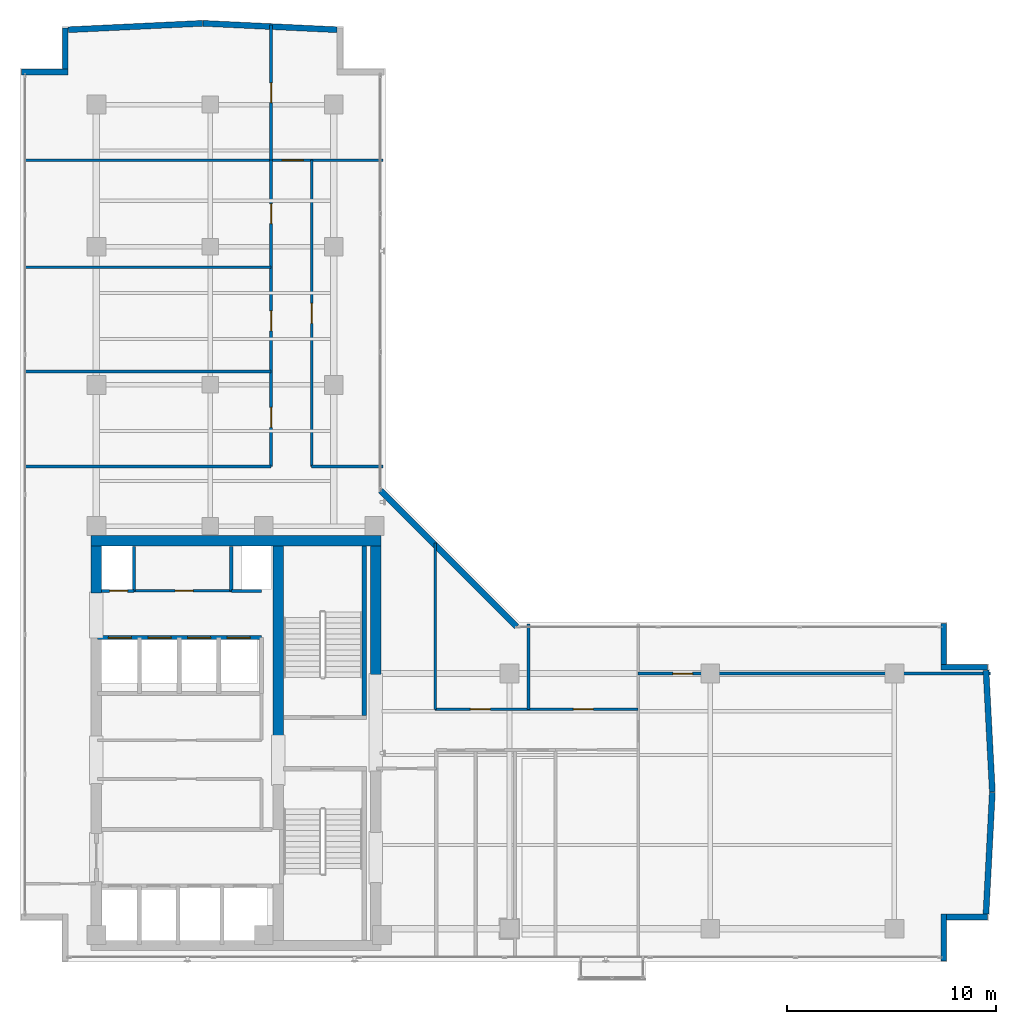
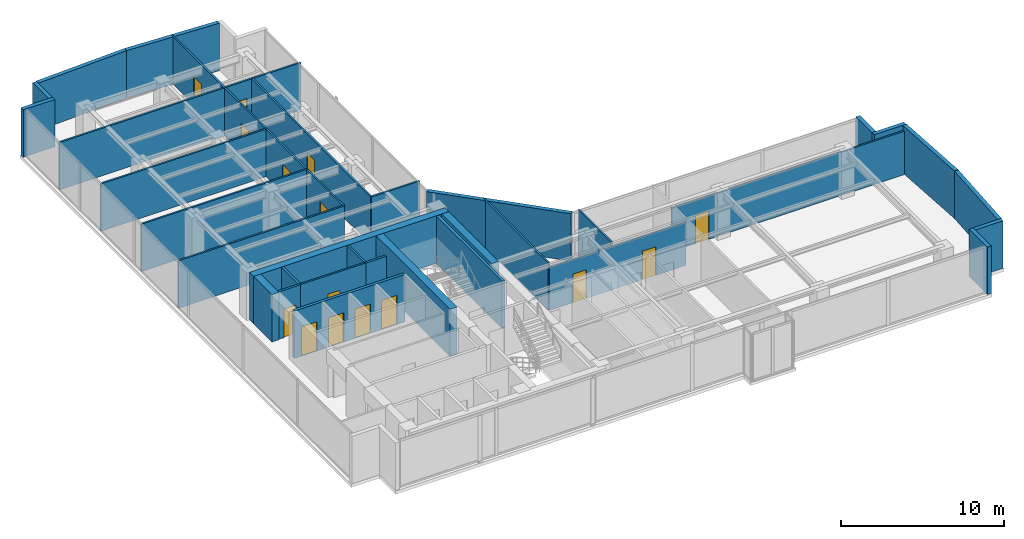
# One storey, part 18 of 22: 34 walls, 15 doors, 15 openings.
"""IFC4 building model written with IfcOpenShell, lengths in metres."""

from ifc_helpers import new_model, si_unit, direction, frame, frame_2d, origin, place, context, subcontext, project, spatial, rectangle, extrude, material, layer, layer_set, type_object, element, fill, save


model = new_model("IFC4")

# Units and contexts
model_context = context("Model", 3, precision=1e-05, world=origin(), true_north=direction((0.0, 1.0)))
body_context = subcontext(model_context, "Body", "Model", "MODEL_VIEW")
ifc_project = project(units=[si_unit("LENGTHUNIT", "METRE"), si_unit("AREAUNIT", "SQUARE_METRE"), si_unit("VOLUMEUNIT", "CUBIC_METRE"), si_unit("PLANEANGLEUNIT", "RADIAN"), si_unit("MASSUNIT", "GRAM", prefix="KILO")], contexts=[model_context])

# Site, building, storey
site_placement = place(None, origin())
site = spatial("IfcSite", under=ifc_project, at=site_placement, CompositionType="ELEMENT")
building_placement = place(site_placement, origin())
building = spatial("IfcBuilding", under=site, at=building_placement, Name="Kolvaren Waterfront Exchange", CompositionType="ELEMENT")
storey_placement = place(building_placement, frame((0.0, 0.0, 312.199951171875)))
storey = spatial("IfcBuildingStorey", under=building, at=storey_placement, Name="L80", CompositionType="ELEMENT", Elevation=312.199951171875)

# Walls
ifc_material_1 = material(Name="Precast concrete C40/50", Category="concrete")
ifc_layer_1 = layer(ifc_material_1, 0.280029296875, Name="Precast concrete C40/50")
ifc_layer_set_1 = layer_set([ifc_layer_1], Name="Precast concrete C40/50")
wall_type_1 = type_object("IfcWallType", Name="ARC-EXT-TERR-280", PredefinedType="SOLIDWALL", material=ifc_layer_set_1)
wall_1_placement = place(storey_placement, frame((47.961181640625, 3.659912109375, 0.0), z_axis=(0.0, 0.0, 1.0), x_axis=(0.0, 1.0, 0.0)))
element("IfcWall", 1, at=wall_1_placement, inside=storey, type_object=wall_type_1, Name="L80 notched corner spandrel pier SE-A", PredefinedType="SOLIDWALL", context=body_context, shape_type="SweptSolid", body=[
    extrude(rectangle(XDim=2.239990234375, YDim=0.280029296875, at=frame_2d((1.1201171875, 0.0))), origin(), (0.0, 0.0, 1.0), 3.56005859375),
])
wall_2_placement = place(storey_placement, frame((48.10107421875, 5.760009765625, 0.0), z_axis=(0.0, 0.0, 1.0), x_axis=(1.0, 0.0, 0.0)))
element("IfcWall", 2, at=wall_2_placement, inside=storey, type_object=wall_type_1, Name="L80 notched corner spandrel pier SE-B", PredefinedType="SOLIDWALL", context=body_context, shape_type="SweptSolid", body=[
    extrude(rectangle(XDim=1.9599609375, YDim=0.280029296875, at=frame_2d((0.97998046875, 0.0))), origin(), (0.0, 0.0, 1.0), 3.56005859375),
])
wall_3_placement = place(storey_placement, frame((47.961181640625, 17.828125, 0.0), z_axis=(0.0, 0.0, 1.0), x_axis=(0.0, 1.0, 0.0)))
element("IfcWall", 3, at=wall_3_placement, inside=storey, type_object=wall_type_1, Name="L80 notched corner spandrel pier ENE-A", PredefinedType="SOLIDWALL", context=body_context, shape_type="SweptSolid", body=[
    extrude(rectangle(XDim=1.97509765625, YDim=0.280029296875, at=frame_2d((0.987548828125, 0.0))), origin(), (0.0, 0.0, 1.0), 3.56005859375),
])
for number, where, z_axis, x_axis, name in (
    (4, (47.821044921875, 17.703125, 0.0), (0.0, 0.0, 1.0), (1.0, 0.0, 0.0), "L80 notched corner spandrel pier ENE-B"),
    (5, (3.860107421875, 46.1611328125, 0.0), (0.0, 0.0, 1.0), (1.0, 0.0, 0.0), "L80 notched corner spandrel pier NW-A"),
):
    element("IfcWall", number, at=place(storey_placement, frame(where, z_axis=z_axis, x_axis=x_axis)), inside=storey, type_object=wall_type_1, Name=name, PredefinedType="SOLIDWALL", context=body_context, shape_type="SweptSolid", body=[
        extrude(rectangle(XDim=2.239990234375, YDim=0.280029296875, at=frame_2d((1.1201171875, 0.0))), origin(), (0.0, 0.0, 1.0), 3.56005859375),
    ])
wall_4_placement = place(storey_placement, frame((5.9599609375, 46.301025390625, 0.0), z_axis=(0.0, 0.0, 1.0), x_axis=(0.0, 1.0, 0.0)))
element("IfcWall", 6, at=wall_4_placement, inside=storey, type_object=wall_type_1, Name="L80 notched corner spandrel pier NW-B", PredefinedType="SOLIDWALL", context=body_context, shape_type="SweptSolid", body=[
    extrude(rectangle(XDim=1.9599609375, YDim=0.280029296875, at=frame_2d((0.97998046875, 0.0))), origin(), (0.0, 0.0, 1.0), 3.56005859375),
])
wall_5_placement = place(storey_placement, frame((27.548095703125, 19.63818359375, 0.0), z_axis=(0.0, 0.0, 1.0), x_axis=(-0.707106781187, 0.707106781187, 0.0)))
element("IfcWall", 7, at=wall_5_placement, inside=storey, type_object=wall_type_1, Name="L80 notched corner spandrel pier ELBOW", PredefinedType="SOLIDWALL", context=body_context, shape_type="SweptSolid", body=[
    extrude(rectangle(XDim=9.20654296875, YDim=0.280029296875, at=frame_2d((4.603271484375, 0.0))), origin(), (0.0, 0.0, 1.0), 3.56005859375),
])
for number, where, z_axis, x_axis, name in (
    (8, (49.97705078125, 5.907958984375, 0.0), (0.0, 0.0, 1.0), (0.052310036266, 0.998630892826, 0.0), "L80 east prow faceted facade wall 1"),
    (9, (50.281494140625, 11.7431640625, 0.0), (0.0, 0.0, 1.0), (-0.052310036266, 0.998630892826, 0.0), "L80 east prow faceted facade wall 2"),
):
    element("IfcWall", number, at=place(storey_placement, frame(where, z_axis=z_axis, x_axis=x_axis)), inside=storey, type_object=wall_type_1, Name=name, PredefinedType="SOLIDWALL", context=body_context, shape_type="SweptSolid", body=[
        extrude(rectangle(XDim=5.820068359375, YDim=0.280029296875, at=frame_2d((2.91015625, 0.0))), origin(), (0.0, 0.0, 1.0), 3.56005859375),
    ])
for number, where, z_axis, x_axis, name in (
    (10, (18.955810546875, 48.175537109375, 0.0), (0.0, 0.0, 1.0), (-0.998863831249, 0.047655499393, 0.0), "L80 north prow faceted facade wall 1"),
    (11, (12.519287109375, 48.4814453125, 0.0), (0.0, 0.0, 1.0), (-0.998863831249, -0.047655499393, 0.0), "L80 north prow faceted facade wall 2"),
):
    element("IfcWall", number, at=place(storey_placement, frame(where, z_axis=z_axis, x_axis=x_axis)), inside=storey, type_object=wall_type_1, Name=name, PredefinedType="SOLIDWALL", context=body_context, shape_type="SweptSolid", body=[
        extrude(rectangle(XDim=6.419189453125, YDim=0.280029296875, at=frame_2d((3.20947265625, 0.0))), origin(), (0.0, 0.0, 1.0), 3.56005859375),
    ])

# Wall, opening, door
ifc_material_2 = material(Name="Acoustic gypsum steel stud", Category="steel")
ifc_layer_2 = layer(ifc_material_2, 0.125, Name="Acoustic gypsum steel stud")
ifc_layer_set_2 = layer_set([ifc_layer_2], Name="Acoustic gypsum steel stud")
wall_type_2 = type_object("IfcWallType", Name="ARC-PART-125", PredefinedType="PARTITIONING", material=ifc_layer_set_2)
wall_6_placement = place(storey_placement, frame((9.25, 21.35009765625, 0.0), z_axis=(0.0, 0.0, 1.0), x_axis=(1.0, 0.0, 0.0)))
wall_6 = element("IfcWall", 12, at=wall_6_placement, inside=storey, type_object=wall_type_2, Name="L80 interior wall PW-L80-SVC-HI-S", PredefinedType="PARTITIONING", context=body_context, shape_type="SweptSolid", body=[
    extrude(rectangle(XDim=4.64990234375, YDim=0.125, at=frame_2d((2.324951171875, 0.0))), origin(), (0.0, 0.0, 1.0), 3.56005859375),
])
opening_1_placement = place(wall_6_placement, frame((1.971435546875, 0.0, 0.0)))
opening_1 = element("IfcOpeningElement", 13, at=opening_1_placement, cuts=wall_6, Name="Opening D01", PredefinedType="OPENING", context=body_context, shape_type="SweptSolid", body=[
    extrude(rectangle(XDim=0.85009765625, YDim=2.14990234375, at=frame_2d((0.425048828125, 1.074951171875))), frame((0.0, 0.072509765625, 0.0), z_axis=(0.0, -1.0, 0.0), x_axis=(1.0, 0.0, 0.0)), (0.0, 0.0, 1.0), 0.14501953125),
])
ifc_material_3 = material(Name="Oak veneer timber leaf", Category="wood")
door_type_1 = type_object("IfcDoorType", Name="ARC-DR-900", OperationType="NOTDEFINED", PredefinedType="DOOR", material=ifc_material_3)
door_1_placement = place(opening_1_placement, origin())
door_1 = element("IfcDoor", 14, at=door_1_placement, inside=storey, type_object=door_type_1, Name="L80 door DR-L80-SVC-DR-1 (D01)", OperationType="SINGLE_SWING_LEFT", OverallHeight=2.14990234375, OverallWidth=0.85009765625, PredefinedType="DOOR", context=body_context, shape_type="SweptSolid", body=[
    extrude(rectangle(XDim=0.85009765625, YDim=2.14990234375, at=frame_2d((0.425048828125, 1.074951171875))), frame((0.0, 0.02490234375, 0.0), z_axis=(0.0, -1.0, 0.0), x_axis=(1.0, 0.0, 0.0)), (0.0, 0.0, 1.0), 0.050048828125),
])
fill(opening_1, door_1)

wall_7_placement = place(storey_placement, frame((33.35009765625, 17.39990234375, 0.0), z_axis=(0.0, 0.0, 1.0), x_axis=(1.0, 0.0, 0.0)))
wall_7 = element("IfcWall", 15, at=wall_7_placement, inside=storey, type_object=wall_type_2, Name="L80 interior wall PW-L80-ETIP-MID", PredefinedType="PARTITIONING", context=body_context, shape_type="SweptSolid", body=[
    extrude(rectangle(XDim=16.85205078125, YDim=0.125, at=frame_2d((8.426025390625, 0.0))), origin(), (0.0, 0.0, 1.0), 3.260009765625),
])
opening_2_placement = place(wall_7_placement, frame((1.65625, 0.0, 0.0)))
opening_2 = element("IfcOpeningElement", 16, at=opening_2_placement, cuts=wall_7, Name="Opening D02", PredefinedType="OPENING", context=body_context, shape_type="SweptSolid", body=[
    extrude(rectangle(XDim=0.949951171875, YDim=2.14990234375, at=frame_2d((0.47509765625, 1.074951171875))), frame((0.0, 0.072509765625, 0.0), z_axis=(0.0, -1.0, 0.0), x_axis=(1.0, 0.0, 0.0)), (0.0, 0.0, 1.0), 0.14501953125),
])
ifc_material_4 = material(Name="Oak veneer acoustic timber", Category="wood")
door_type_2 = type_object("IfcDoorType", Name="ARC-DR-950", OperationType="NOTDEFINED", PredefinedType="DOOR", material=ifc_material_4)
door_2_placement = place(opening_2_placement, origin())
door_2 = element("IfcDoor", 17, at=door_2_placement, inside=storey, type_object=door_type_2, Name="L80 door DR-L80-ETIP2-D (D02)", OperationType="SINGLE_SWING_LEFT", OverallHeight=2.14990234375, OverallWidth=0.949951171875, PredefinedType="DOOR", context=body_context, shape_type="SweptSolid", body=[
    extrude(rectangle(XDim=0.949951171875, YDim=2.14990234375, at=frame_2d((0.47509765625, 1.074951171875))), frame((0.0, 0.02490234375, 0.0), z_axis=(0.0, -1.0, 0.0), x_axis=(1.0, 0.0, 0.0)), (0.0, 0.0, 1.0), 0.050048828125),
])
fill(opening_2, door_2)

# Wall
wall_8_placement = place(storey_placement, frame((23.64990234375, 15.68994140625, 0.0), z_axis=(0.0, 0.0, 1.0), x_axis=(0.0, 1.0, 0.0)))
element("IfcWall", 18, at=wall_8_placement, inside=storey, type_object=wall_type_2, Name="L80 interior wall PW-L80-EN-W0", PredefinedType="PARTITIONING", context=body_context, shape_type="SweptSolid", body=[
    extrude(rectangle(XDim=7.946533203125, YDim=0.125, at=frame_2d((3.97314453125, 0.0))), origin(), (0.0, 0.0, 1.0), 3.56005859375),
])

# Wall, openings, doors
wall_9_placement = place(storey_placement, frame((23.64990234375, 15.68994140625, 0.0), z_axis=(0.0, 0.0, 1.0), x_axis=(1.0, 0.0, 0.0)))
wall_9 = element("IfcWall", 19, at=wall_9_placement, inside=storey, type_object=wall_type_2, Name="L80 interior wall PW-L80-EN-CORR", PredefinedType="PARTITIONING", context=body_context, shape_type="SweptSolid", body=[
    extrude(rectangle(XDim=9.7001953125, YDim=0.125, at=frame_2d((4.85009765625, 0.0))), origin(), (0.0, 0.0, 1.0), 3.260009765625),
])
opening_3_placement = place(wall_9_placement, frame((1.68359375, 0.0, 0.0)))
opening_3 = element("IfcOpeningElement", 20, at=opening_3_placement, cuts=wall_9, Name="Opening D02", PredefinedType="OPENING", context=body_context, shape_type="SweptSolid", body=[
    extrude(rectangle(XDim=0.949951171875, YDim=2.14990234375, at=frame_2d((0.47509765625, 1.074951171875))), frame((0.0, 0.072509765625, 0.0), z_axis=(0.0, -1.0, 0.0), x_axis=(1.0, 0.0, 0.0)), (0.0, 0.0, 1.0), 0.14501953125),
])
opening_4_placement = place(wall_9_placement, frame((6.60498046875, 0.0, 0.0)))
opening_4 = element("IfcOpeningElement", 21, at=opening_4_placement, cuts=wall_9, Name="Opening D02", PredefinedType="OPENING", context=body_context, shape_type="SweptSolid", body=[
    extrude(rectangle(XDim=0.949951171875, YDim=2.14990234375, at=frame_2d((0.47509765625, 1.074951171875))), frame((0.0, 0.072509765625, 0.0), z_axis=(0.0, -1.0, 0.0), x_axis=(1.0, 0.0, 0.0)), (0.0, 0.0, 1.0), 0.14501953125),
])
door_3_placement = place(opening_3_placement, origin())
door_3 = element("IfcDoor", 22, at=door_3_placement, inside=storey, type_object=door_type_2, Name="L80 door DR-L80-EN-D-1 (D02)", OperationType="SINGLE_SWING_RIGHT", OverallHeight=2.14990234375, OverallWidth=0.949951171875, PredefinedType="DOOR", context=body_context, shape_type="SweptSolid", body=[
    extrude(rectangle(XDim=0.949951171875, YDim=2.14990234375, at=frame_2d((0.47509765625, 1.074951171875))), frame((0.0, 0.02490234375, 0.0), z_axis=(0.0, -1.0, 0.0), x_axis=(1.0, 0.0, 0.0)), (0.0, 0.0, 1.0), 0.050048828125),
])
fill(opening_3, door_3)
door_4_placement = place(opening_4_placement, origin())
door_4 = element("IfcDoor", 23, at=door_4_placement, inside=storey, type_object=door_type_2, Name="L80 door DR-L80-EN-D-2 (D02)", OperationType="SINGLE_SWING_LEFT", OverallHeight=2.14990234375, OverallWidth=0.949951171875, PredefinedType="DOOR", context=body_context, shape_type="SweptSolid", body=[
    extrude(rectangle(XDim=0.949951171875, YDim=2.14990234375, at=frame_2d((0.47509765625, 1.074951171875))), frame((0.0, 0.02490234375, 0.0), z_axis=(0.0, -1.0, 0.0), x_axis=(1.0, 0.0, 0.0)), (0.0, 0.0, 1.0), 0.050048828125),
])
fill(opening_4, door_4)

# Walls
wall_10_placement = place(storey_placement, frame((28.110107421875, 15.68994140625, 0.0), z_axis=(0.0, 0.0, 1.0), x_axis=(0.0, 1.0, 0.0)))
element("IfcWall", 24, at=wall_10_placement, inside=storey, type_object=wall_type_2, Name="L80 interior wall PW-L80-EN-DIV-1", PredefinedType="PARTITIONING", context=body_context, shape_type="SweptSolid", body=[
    extrude(rectangle(XDim=4.070068359375, YDim=0.125, at=frame_2d((2.03515625, 0.0))), origin(), (0.0, 0.0, 1.0), 3.56005859375),
])
wall_11_placement = place(storey_placement, frame((4.0400390625, 27.300048828125, 0.0), z_axis=(0.0, 0.0, 1.0), x_axis=(1.0, 0.0, 0.0)))
element("IfcWall", 25, at=wall_11_placement, inside=storey, type_object=wall_type_2, Name="L80 interior wall PW-L80-NW-S0", PredefinedType="PARTITIONING", context=body_context, shape_type="SweptSolid", body=[
    extrude(rectangle(XDim=11.760009765625, YDim=0.125, at=frame_2d((5.8798828125, 0.0))), origin(), (0.0, 0.0, 1.0), 3.56005859375),
])

# Wall, openings, doors
wall_12_placement = place(storey_placement, frame((15.800048828125, 27.300048828125, 0.0), z_axis=(0.0, 0.0, 1.0), x_axis=(0.0, 1.0, 0.0)))
wall_12 = element("IfcWall", 26, at=wall_12_placement, inside=storey, type_object=wall_type_2, Name="L80 interior wall PW-L80-NW-CORR", PredefinedType="PARTITIONING", context=body_context, shape_type="SweptSolid", body=[
    extrude(rectangle(XDim=14.639892578125, YDim=0.125, at=frame_2d((7.31982421875, 0.0))), origin(), (0.0, 0.0, 1.0), 3.56005859375),
])
opening_5_placement = place(wall_12_placement, frame((1.868408203125, 0.0, 0.0)))
opening_5 = element("IfcOpeningElement", 27, at=opening_5_placement, cuts=wall_12, Name="Opening D02", PredefinedType="OPENING", context=body_context, shape_type="SweptSolid", body=[
    extrude(rectangle(XDim=0.949951171875, YDim=2.14990234375, at=frame_2d((0.47509765625, 1.074951171875))), frame((0.0, 0.072509765625, 0.0), z_axis=(0.0, -1.0, 0.0), x_axis=(1.0, 0.0, 0.0)), (0.0, 0.0, 1.0), 0.14501953125),
])
opening_6_placement = place(wall_12_placement, frame((6.48486328125, 0.0, 0.0)))
opening_6 = element("IfcOpeningElement", 28, at=opening_6_placement, cuts=wall_12, Name="Opening D02", PredefinedType="OPENING", context=body_context, shape_type="SweptSolid", body=[
    extrude(rectangle(XDim=0.949951171875, YDim=2.14990234375, at=frame_2d((0.47509765625, 1.074951171875))), frame((0.0, 0.072509765625, 0.0), z_axis=(0.0, -1.0, 0.0), x_axis=(1.0, 0.0, 0.0)), (0.0, 0.0, 1.0), 0.14501953125),
])
opening_7_placement = place(wall_12_placement, frame((11.60498046875, 0.0, 0.0)))
opening_7 = element("IfcOpeningElement", 29, at=opening_7_placement, cuts=wall_12, Name="Opening D02", PredefinedType="OPENING", context=body_context, shape_type="SweptSolid", body=[
    extrude(rectangle(XDim=0.949951171875, YDim=2.14990234375, at=frame_2d((0.47509765625, 1.074951171875))), frame((0.0, 0.072509765625, 0.0), z_axis=(0.0, -1.0, 0.0), x_axis=(1.0, 0.0, 0.0)), (0.0, 0.0, 1.0), 0.14501953125),
])
door_5_placement = place(opening_5_placement, origin())
door_5 = element("IfcDoor", 30, at=door_5_placement, inside=storey, type_object=door_type_2, Name="L80 door DR-L80-NW-D-1 (D02)", OperationType="SINGLE_SWING_RIGHT", OverallHeight=2.14990234375, OverallWidth=0.949951171875, PredefinedType="DOOR", context=body_context, shape_type="SweptSolid", body=[
    extrude(rectangle(XDim=0.949951171875, YDim=2.14990234375, at=frame_2d((0.47509765625, 1.074951171875))), frame((0.0, 0.02490234375, 0.0), z_axis=(0.0, -1.0, 0.0), x_axis=(1.0, 0.0, 0.0)), (0.0, 0.0, 1.0), 0.050048828125),
])
fill(opening_5, door_5)
door_6_placement = place(opening_6_placement, origin())
door_6 = element("IfcDoor", 31, at=door_6_placement, inside=storey, type_object=door_type_2, Name="L80 door DR-L80-NW-D-2 (D02)", OperationType="SINGLE_SWING_LEFT", OverallHeight=2.14990234375, OverallWidth=0.949951171875, PredefinedType="DOOR", context=body_context, shape_type="SweptSolid", body=[
    extrude(rectangle(XDim=0.949951171875, YDim=2.14990234375, at=frame_2d((0.47509765625, 1.074951171875))), frame((0.0, 0.02490234375, 0.0), z_axis=(0.0, -1.0, 0.0), x_axis=(1.0, 0.0, 0.0)), (0.0, 0.0, 1.0), 0.050048828125),
])
fill(opening_6, door_6)
door_7_placement = place(opening_7_placement, origin())
door_7 = element("IfcDoor", 32, at=door_7_placement, inside=storey, type_object=door_type_2, Name="L80 door DR-L80-NW-D-3 (D02)", OperationType="SINGLE_SWING_RIGHT", OverallHeight=2.14990234375, OverallWidth=0.949951171875, PredefinedType="DOOR", context=body_context, shape_type="SweptSolid", body=[
    extrude(rectangle(XDim=0.949951171875, YDim=2.14990234375, at=frame_2d((0.47509765625, 1.074951171875))), frame((0.0, 0.02490234375, 0.0), z_axis=(0.0, -1.0, 0.0), x_axis=(1.0, 0.0, 0.0)), (0.0, 0.0, 1.0), 0.050048828125),
])
fill(opening_7, door_7)

# Walls
for number, where, z_axis, x_axis, name in (
    (33, (4.0400390625, 31.840087890625, 0.0), (0.0, 0.0, 1.0), (1.0, 0.0, 0.0), "L80 interior wall PW-L80-NW-DIV-1"),
    (34, (4.0400390625, 36.820068359375, 0.0), (0.0, 0.0, 1.0), (1.0, 0.0, 0.0), "L80 interior wall PW-L80-NW-DIV-2"),
):
    element("IfcWall", number, at=place(storey_placement, frame(where, z_axis=z_axis, x_axis=x_axis)), inside=storey, type_object=wall_type_2, Name=name, PredefinedType="PARTITIONING", context=body_context, shape_type="SweptSolid", body=[
        extrude(rectangle(XDim=11.760009765625, YDim=0.125, at=frame_2d((5.8798828125, 0.0))), origin(), (0.0, 0.0, 1.0), 3.56005859375),
    ])

# Wall, opening, door
wall_13_placement = place(storey_placement, frame((4.0400390625, 41.93994140625, 0.0), z_axis=(0.0, 0.0, 1.0), x_axis=(1.0, 0.0, 0.0)))
wall_13 = element("IfcWall", 35, at=wall_13_placement, inside=storey, type_object=wall_type_2, Name="L80 interior wall PW-L80-NTIP-S", PredefinedType="PARTITIONING", context=body_context, shape_type="SweptSolid", body=[
    extrude(rectangle(XDim=17.119873046875, YDim=0.125, at=frame_2d((8.56005859375, 0.0))), origin(), (0.0, 0.0, 1.0), 3.56005859375),
])
opening_8_placement = place(wall_13_placement, frame((12.300048828125, 0.0, 0.0)))
opening_8 = element("IfcOpeningElement", 36, at=opening_8_placement, cuts=wall_13, Name="Opening D03", PredefinedType="OPENING", context=body_context, shape_type="SweptSolid", body=[
    extrude(rectangle(XDim=1.0, YDim=2.199951171875, at=frame_2d((0.5, 1.10009765625))), frame((0.0, 0.072509765625, 0.0), z_axis=(0.0, -1.0, 0.0), x_axis=(1.0, 0.0, 0.0)), (0.0, 0.0, 1.0), 0.14501953125),
])
ifc_material_5 = material(Name="Oak veneer accessible timber", Category="wood")
door_type_3 = type_object("IfcDoorType", Name="ARC-DR-1000", OperationType="NOTDEFINED", PredefinedType="DOOR", material=ifc_material_5)
door_8_placement = place(opening_8_placement, origin())
door_8 = element("IfcDoor", 37, at=door_8_placement, inside=storey, type_object=door_type_3, Name="L80 door DR-L80-NTIPE-D (D03)", OperationType="SINGLE_SWING_LEFT", OverallHeight=2.199951171875, OverallWidth=1.0, PredefinedType="DOOR", context=body_context, shape_type="SweptSolid", body=[
    extrude(rectangle(XDim=1.0, YDim=2.199951171875, at=frame_2d((0.5, 1.10009765625))), frame((0.0, 0.02490234375, 0.0), z_axis=(0.0, -1.0, 0.0), x_axis=(1.0, 0.0, 0.0)), (0.0, 0.0, 1.0), 0.050048828125),
])
fill(opening_8, door_8)

wall_14_placement = place(storey_placement, frame((15.800048828125, 41.93994140625, 0.0), z_axis=(0.0, 0.0, 1.0), x_axis=(0.0, 1.0, 0.0)))
wall_14 = element("IfcWall", 38, at=wall_14_placement, inside=storey, type_object=wall_type_2, Name="L80 interior wall PW-L80-NTIP-DIV", PredefinedType="PARTITIONING", context=body_context, shape_type="SweptSolid", body=[
    extrude(rectangle(XDim=6.462158203125, YDim=0.125, at=frame_2d((3.23095703125, 0.0))), origin(), (0.0, 0.0, 1.0), 3.56005859375),
])
opening_9_placement = place(wall_14_placement, frame((2.751220703125, 0.0, 0.0)))
opening_9 = element("IfcOpeningElement", 39, at=opening_9_placement, cuts=wall_14, Name="Opening D02", PredefinedType="OPENING", context=body_context, shape_type="SweptSolid", body=[
    extrude(rectangle(XDim=0.949951171875, YDim=2.14990234375, at=frame_2d((0.47509765625, 1.074951171875))), frame((0.0, 0.072509765625, 0.0), z_axis=(0.0, -1.0, 0.0), x_axis=(1.0, 0.0, 0.0)), (0.0, 0.0, 1.0), 0.14501953125),
])
door_9_placement = place(opening_9_placement, origin())
door_9 = element("IfcDoor", 40, at=door_9_placement, inside=storey, type_object=door_type_2, Name="L80 door DR-L80-NTIPW-D (D02)", OperationType="SINGLE_SWING_RIGHT", OverallHeight=2.14990234375, OverallWidth=0.949951171875, PredefinedType="DOOR", context=body_context, shape_type="SweptSolid", body=[
    extrude(rectangle(XDim=0.949951171875, YDim=2.14990234375, at=frame_2d((0.47509765625, 1.074951171875))), frame((0.0, 0.02490234375, 0.0), z_axis=(0.0, -1.0, 0.0), x_axis=(1.0, 0.0, 0.0)), (0.0, 0.0, 1.0), 0.050048828125),
])
fill(opening_9, door_9)

# Wall
wall_15_placement = place(storey_placement, frame((17.739990234375, 27.300048828125, 0.0), z_axis=(0.0, 0.0, 1.0), x_axis=(1.0, 0.0, 0.0)))
element("IfcWall", 41, at=wall_15_placement, inside=storey, type_object=wall_type_2, Name="L80 interior wall PW-L80-NE-S0", PredefinedType="PARTITIONING", context=body_context, shape_type="SweptSolid", body=[
    extrude(rectangle(XDim=3.419921875, YDim=0.125, at=frame_2d((1.7099609375, 0.0))), origin(), (0.0, 0.0, 1.0), 3.56005859375),
])

# Wall, opening, door
wall_16_placement = place(storey_placement, frame((17.739990234375, 27.300048828125, 0.0), z_axis=(0.0, 0.0, 1.0), x_axis=(0.0, 1.0, 0.0)))
wall_16 = element("IfcWall", 42, at=wall_16_placement, inside=storey, type_object=wall_type_2, Name="L80 interior wall PW-L80-NE-CORR", PredefinedType="PARTITIONING", context=body_context, shape_type="SweptSolid", body=[
    extrude(rectangle(XDim=14.639892578125, YDim=0.125, at=frame_2d((7.31982421875, 0.0))), origin(), (0.0, 0.0, 1.0), 3.56005859375),
])
opening_10_placement = place(wall_16_placement, frame((6.844970703125, 0.0, 0.0)))
opening_10 = element("IfcOpeningElement", 43, at=opening_10_placement, cuts=wall_16, Name="Opening D02", PredefinedType="OPENING", context=body_context, shape_type="SweptSolid", body=[
    extrude(rectangle(XDim=0.949951171875, YDim=2.14990234375, at=frame_2d((0.47509765625, 1.074951171875))), frame((0.0, 0.072509765625, 0.0), z_axis=(0.0, -1.0, 0.0), x_axis=(1.0, 0.0, 0.0)), (0.0, 0.0, 1.0), 0.14501953125),
])
door_10_placement = place(opening_10_placement, origin())
door_10 = element("IfcDoor", 44, at=door_10_placement, inside=storey, type_object=door_type_2, Name="L80 door DR-L80-NE-D-1 (D02)", OperationType="SINGLE_SWING_LEFT", OverallHeight=2.14990234375, OverallWidth=0.949951171875, PredefinedType="DOOR", context=body_context, shape_type="SweptSolid", body=[
    extrude(rectangle(XDim=0.949951171875, YDim=2.14990234375, at=frame_2d((0.47509765625, 1.074951171875))), frame((0.0, 0.02490234375, 0.0), z_axis=(0.0, -1.0, 0.0), x_axis=(1.0, 0.0, 0.0)), (0.0, 0.0, 1.0), 0.050048828125),
])
fill(opening_10, door_10)

# Walls
ifc_material_6 = material(Name="Gypsum fireboard steel stud", Category="steel")
ifc_layer_3 = layer(ifc_material_6, 0.14990234375, Name="Gypsum fireboard steel stud")
ifc_layer_set_3 = layer_set([ifc_layer_3], Name="Gypsum fireboard steel stud")
wall_type_3 = type_object("IfcWallType", Name="ARC-PART-150", PredefinedType="PARTITIONING", material=ifc_layer_set_3)
for number, where, z_axis, x_axis, name in (
    (45, (9.25, 21.35009765625, 0.0), (0.0, 0.0, 1.0), (0.0, 1.0, 0.0), "L80 interior wall PW-L80-SVC-R1"),
    (46, (13.89990234375, 21.35009765625, 0.0), (0.0, 0.0, 1.0), (0.0, 1.0, 0.0), "L80 interior wall PW-L80-SVC-R2"),
):
    element("IfcWall", number, at=place(storey_placement, frame(where, z_axis=z_axis, x_axis=x_axis)), inside=storey, type_object=wall_type_3, Name=name, PredefinedType="PARTITIONING", context=body_context, shape_type="SweptSolid", body=[
        extrude(rectangle(XDim=2.1298828125, YDim=0.14990234375, at=frame_2d((1.06494140625, 0.0))), origin(), (0.0, 0.0, 1.0), 3.56005859375),
    ])

# Wall, opening, door
wall_17_placement = place(storey_placement, frame((7.699951171875, 21.35009765625, 0.0), z_axis=(0.0, 0.0, 1.0), x_axis=(1.0, 0.0, 0.0)))
wall_17 = element("IfcWall", 47, at=wall_17_placement, inside=storey, type_object=wall_type_3, Name="L80 interior wall PW-L80-SVC-RE-S", PredefinedType="PARTITIONING", context=body_context, shape_type="SweptSolid", body=[
    extrude(rectangle(XDim=1.550048828125, YDim=0.14990234375, at=frame_2d((0.77490234375, 0.0))), origin(), (0.0, 0.0, 1.0), 3.56005859375),
])
opening_11_placement = place(wall_17_placement, frame((0.389892578125, 0.0, 0.0)))
opening_11 = element("IfcOpeningElement", 48, at=opening_11_placement, cuts=wall_17, Name="Opening FD1", PredefinedType="OPENING", context=body_context, shape_type="SweptSolid", body=[
    extrude(rectangle(XDim=0.85009765625, YDim=2.14990234375, at=frame_2d((0.425048828125, 1.074951171875))), frame((0.0, 0.0849609375, 0.0), z_axis=(0.0, -1.0, 0.0), x_axis=(1.0, 0.0, 0.0)), (0.0, 0.0, 1.0), 0.169921875),
])
ifc_material_7 = material(Name="Pressed steel fire leaf", Category="steel")
door_type_4 = type_object("IfcDoorType", Name="ARC-FD-900", OperationType="NOTDEFINED", PredefinedType="DOOR", material=ifc_material_7)
door_11_placement = place(opening_11_placement, origin())
door_11 = element("IfcDoor", 49, at=door_11_placement, inside=storey, type_object=door_type_4, Name="L80 door DR-L80-RISER-E-DR (FD1)", OperationType="SINGLE_SWING_RIGHT", OverallHeight=2.14990234375, OverallWidth=0.85009765625, PredefinedType="DOOR", context=body_context, shape_type="SweptSolid", body=[
    extrude(rectangle(XDim=0.85009765625, YDim=2.14990234375, at=frame_2d((0.425048828125, 1.074951171875))), frame((0.0, 0.02490234375, 0.0), z_axis=(0.0, -1.0, 0.0), x_axis=(1.0, 0.0, 0.0)), (0.0, 0.0, 1.0), 0.050048828125),
])
fill(opening_11, door_11)

# Walls
wall_18_placement = place(storey_placement, frame((13.89990234375, 21.35009765625, 0.0), z_axis=(0.0, 0.0, 1.0), x_axis=(1.0, 0.0, 0.0)))
element("IfcWall", 50, at=wall_18_placement, inside=storey, type_object=wall_type_3, Name="L80 interior wall PW-L80-SVC-RP-S", PredefinedType="PARTITIONING", context=body_context, shape_type="SweptSolid", body=[
    extrude(rectangle(XDim=1.4501953125, YDim=0.14990234375, at=frame_2d((0.72509765625, 0.0))), origin(), (0.0, 0.0, 1.0), 3.56005859375),
])
ifc_material_8 = material(Name="Concrete C40/50", Category="concrete")
ifc_layer_4 = layer(ifc_material_8, 0.199951171875, Name="Concrete C40/50")
ifc_layer_set_4 = layer_set([ifc_layer_4], Name="Concrete C40/50")
wall_type_4 = type_object("IfcWallType", Name="ARC-SHAFT-200", PredefinedType="PARTITIONING", material=ifc_layer_set_4)
wall_19_placement = place(storey_placement, frame((20.260009765625, 15.39990234375, 0.0), z_axis=(0.0, 0.0, 1.0), x_axis=(0.0, 1.0, 0.0)))
element("IfcWall", 51, at=wall_19_placement, inside=storey, type_object=wall_type_4, Name="L80 structural stairwell wall PW-L80-ST2-E", PredefinedType="SHEAR", context=body_context, shape_type="SweptSolid", body=[
    extrude(rectangle(XDim=8.090087890625, YDim=0.199951171875, at=frame_2d((4.044921875, 0.0))), origin(), (0.0, 0.0, 1.0), 3.56005859375),
])

# Wall, openings, doors
wall_20_placement = place(storey_placement, frame((7.5, 19.1201171875, 0.0), z_axis=(0.0, 0.0, 1.0), x_axis=(1.0, 0.0, 0.0)))
wall_20 = element("IfcWall", 52, at=wall_20_placement, inside=storey, type_object=wall_type_4, Name="L80 interior wall PW-L80-PH-N", PredefinedType="PARTITIONING", context=body_context, shape_type="SweptSolid", body=[
    extrude(rectangle(XDim=7.85009765625, YDim=0.199951171875, at=frame_2d((3.925048828125, 0.0))), origin(), (0.0, 0.0, 1.0), 3.56005859375),
])
opening_12_placement = place(wall_20_placement, frame((0.530029296875, 0.0, 0.0)))
opening_12 = element("IfcOpeningElement", 53, at=opening_12_placement, cuts=wall_20, Name="Opening LD2", PredefinedType="OPENING", context=body_context, shape_type="SweptSolid", body=[
    extrude(rectangle(XDim=1.10009765625, YDim=2.199951171875, at=frame_2d((0.550048828125, 1.10009765625))), frame((0.0, 0.10986328125, 0.0), z_axis=(0.0, -1.0, 0.0), x_axis=(1.0, 0.0, 0.0)), (0.0, 0.0, 1.0), 0.219970703125),
])
opening_13_placement = place(wall_20_placement, frame((2.419921875, 0.0, 0.0)))
opening_13 = element("IfcOpeningElement", 54, at=opening_13_placement, cuts=wall_20, Name="Opening LD2", PredefinedType="OPENING", context=body_context, shape_type="SweptSolid", body=[
    extrude(rectangle(XDim=1.10009765625, YDim=2.199951171875, at=frame_2d((0.550048828125, 1.10009765625))), frame((0.0, 0.10986328125, 0.0), z_axis=(0.0, -1.0, 0.0), x_axis=(1.0, 0.0, 0.0)), (0.0, 0.0, 1.0), 0.219970703125),
])
opening_14_placement = place(wall_20_placement, frame((4.31005859375, 0.0, 0.0)))
opening_14 = element("IfcOpeningElement", 55, at=opening_14_placement, cuts=wall_20, Name="Opening LD2", PredefinedType="OPENING", context=body_context, shape_type="SweptSolid", body=[
    extrude(rectangle(XDim=1.10009765625, YDim=2.199951171875, at=frame_2d((0.550048828125, 1.10009765625))), frame((0.0, 0.10986328125, 0.0), z_axis=(0.0, -1.0, 0.0), x_axis=(1.0, 0.0, 0.0)), (0.0, 0.0, 1.0), 0.219970703125),
])
opening_15_placement = place(wall_20_placement, frame((6.199951171875, 0.0, 0.0)))
opening_15 = element("IfcOpeningElement", 56, at=opening_15_placement, cuts=wall_20, Name="Opening LD2", PredefinedType="OPENING", context=body_context, shape_type="SweptSolid", body=[
    extrude(rectangle(XDim=1.10009765625, YDim=2.199951171875, at=frame_2d((0.550048828125, 1.10009765625))), frame((0.0, 0.10986328125, 0.0), z_axis=(0.0, -1.0, 0.0), x_axis=(1.0, 0.0, 0.0)), (0.0, 0.0, 1.0), 0.219970703125),
])
ifc_material_9 = material(Name="Brushed bronze sliding landing door", Category="aluminium")
door_type_5 = type_object("IfcDoorType", Name="ARC-LD-PAX", OperationType="SLIDING_TO_LEFT", PredefinedType="DOOR", material=ifc_material_9)
door_12_placement = place(opening_12_placement, origin())
door_12 = element("IfcDoor", 57, at=door_12_placement, inside=storey, type_object=door_type_5, Name="L80 door LD-L80-PH1 (LD2)", OperationType="SLIDING_TO_LEFT", OverallHeight=2.199951171875, OverallWidth=1.10009765625, PredefinedType="DOOR", context=body_context, shape_type="SweptSolid", body=[
    extrude(rectangle(XDim=1.10009765625, YDim=2.199951171875, at=frame_2d((0.550048828125, 1.10009765625))), frame((0.0, 0.02490234375, 0.0), z_axis=(0.0, -1.0, 0.0), x_axis=(1.0, 0.0, 0.0)), (0.0, 0.0, 1.0), 0.050048828125),
])
fill(opening_12, door_12)
door_13_placement = place(opening_13_placement, origin())
door_13 = element("IfcDoor", 58, at=door_13_placement, inside=storey, type_object=door_type_5, Name="L80 door LD-L80-PH2 (LD2)", OperationType="SLIDING_TO_LEFT", OverallHeight=2.199951171875, OverallWidth=1.10009765625, PredefinedType="DOOR", context=body_context, shape_type="SweptSolid", body=[
    extrude(rectangle(XDim=1.10009765625, YDim=2.199951171875, at=frame_2d((0.550048828125, 1.10009765625))), frame((0.0, 0.02490234375, 0.0), z_axis=(0.0, -1.0, 0.0), x_axis=(1.0, 0.0, 0.0)), (0.0, 0.0, 1.0), 0.050048828125),
])
fill(opening_13, door_13)
door_14_placement = place(opening_14_placement, origin())
door_14 = element("IfcDoor", 59, at=door_14_placement, inside=storey, type_object=door_type_5, Name="L80 door LD-L80-PH3 (LD2)", OperationType="SLIDING_TO_LEFT", OverallHeight=2.199951171875, OverallWidth=1.10009765625, PredefinedType="DOOR", context=body_context, shape_type="SweptSolid", body=[
    extrude(rectangle(XDim=1.10009765625, YDim=2.199951171875, at=frame_2d((0.550048828125, 1.10009765625))), frame((0.0, 0.02490234375, 0.0), z_axis=(0.0, -1.0, 0.0), x_axis=(1.0, 0.0, 0.0)), (0.0, 0.0, 1.0), 0.050048828125),
])
fill(opening_14, door_14)
door_15_placement = place(opening_15_placement, origin())
door_15 = element("IfcDoor", 60, at=door_15_placement, inside=storey, type_object=door_type_5, Name="L80 door LD-L80-PH4 (LD2)", OperationType="SLIDING_TO_LEFT", OverallHeight=2.199951171875, OverallWidth=1.10009765625, PredefinedType="DOOR", context=body_context, shape_type="SweptSolid", body=[
    extrude(rectangle(XDim=1.10009765625, YDim=2.199951171875, at=frame_2d((0.550048828125, 1.10009765625))), frame((0.0, 0.02490234375, 0.0), z_axis=(0.0, -1.0, 0.0), x_axis=(1.0, 0.0, 0.0)), (0.0, 0.0, 1.0), 0.050048828125),
])
fill(opening_15, door_15)

# Walls
ifc_material_10 = material(Name="Concrete C50/60", Category="concrete")
ifc_layer_5 = layer(ifc_material_10, 0.5, Name="Concrete C50/60")
ifc_layer_set_5 = layer_set([ifc_layer_5], Name="Concrete C50/60")
wall_type_5 = type_object("IfcWallType", Name="STR-CWALL-500", PredefinedType="SHEAR", material=ifc_layer_set_5)
wall_21_placement = place(storey_placement, frame((7.199951171875, 23.75, 0.0), z_axis=(0.0, 0.0, 1.0), x_axis=(1.0, 0.0, 0.0)))
element("IfcWall", 61, at=wall_21_placement, inside=storey, type_object=wall_type_5, Name="L80 rear-core shear wall N", PredefinedType="SHEAR", context=body_context, shape_type="SweptSolid", body=[
    extrude(rectangle(XDim=13.85009765625, YDim=0.5, at=frame_2d((6.925048828125, 0.0))), origin(), (0.0, 0.0, 1.0), 3.56005859375),
])
wall_22_placement = place(storey_placement, frame((7.449951171875, 21.239990234375, 0.0), z_axis=(0.0, 0.0, 1.0), x_axis=(0.0, 1.0, 0.0)))
element("IfcWall", 62, at=wall_22_placement, inside=storey, type_object=wall_type_5, Name="L80 rear-core shear wall W3", PredefinedType="SHEAR", context=body_context, shape_type="SweptSolid", body=[
    extrude(rectangle(XDim=2.260009765625, YDim=0.5, at=frame_2d((1.1298828125, 0.0))), origin(), (0.0, 0.0, 1.0), 3.56005859375),
])
wall_23_placement = place(storey_placement, frame((20.800048828125, 17.35009765625, 0.0), z_axis=(0.0, 0.0, 1.0), x_axis=(0.0, 1.0, 0.0)))
element("IfcWall", 63, at=wall_23_placement, inside=storey, type_object=wall_type_5, Name="L80 rear-core shear wall E3", PredefinedType="SHEAR", context=body_context, shape_type="SweptSolid", body=[
    extrude(rectangle(XDim=6.14990234375, YDim=0.5, at=frame_2d((3.074951171875, 0.0))), origin(), (0.0, 0.0, 1.0), 3.56005859375),
])
wall_24_placement = place(storey_placement, frame((16.14990234375, 14.39990234375, 0.0), z_axis=(0.0, 0.0, 1.0), x_axis=(0.0, 1.0, 0.0)))
element("IfcWall", 64, at=wall_24_placement, inside=storey, type_object=wall_type_5, Name="L80 rear-core shear wall M3", PredefinedType="SHEAR", context=body_context, shape_type="SweptSolid", body=[
    extrude(rectangle(XDim=9.10009765625, YDim=0.5, at=frame_2d((4.550048828125, 0.0))), origin(), (0.0, 0.0, 1.0), 3.56005859375),
])

save(model, "model.ifc")
